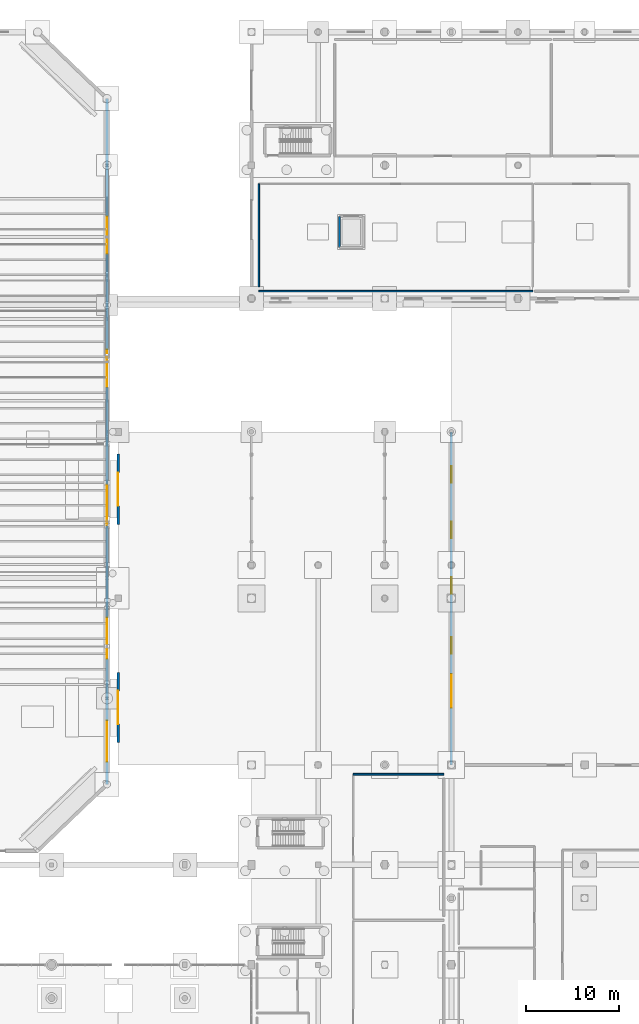
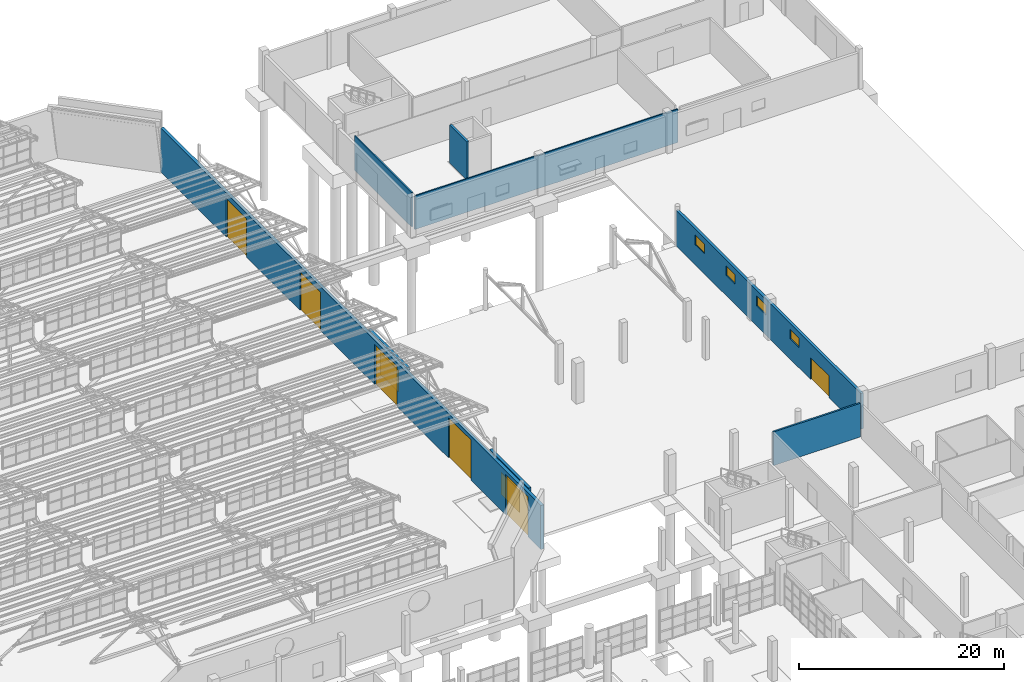
# One storey, part 259 of 285: 8 doors, 8 walls, 4 windows, 12 openings.
"""IFC4 building model written with IfcOpenShell, lengths in metres."""

import ifcopenshell
import ifcopenshell.guid

model = None  # the IFC model being written
_history = None  # IfcOwnerHistory: only IFC2X3 demands one
_inside = {}  # id of a spatial element -> (the spatial element, [elements in it])
_under = {}  # id of a project, library or spatial element -> (it, [spatial elements below it])
_declared = {}  # id of a project -> (the project, [libraries it declares])
_typed = {}  # id of a type object -> (the type object, [elements of that type])
_made_of = {}  # id of a material, layer set ... -> (it, [elements and type objects made of it])


def new_model(schema):
    """Start an empty IFC model of exactly this schema.

    Asked for "IFC4X3", IfcOpenShell would pick the latest addendum, in which some entities
    have other attributes; the version numbers below select the first issue.
    IFC2X3 requires an IfcOwnerHistory on every rooted entity: one is made here for all.
    """
    global model, _history
    if schema == "IFC4X3":
        model = ifcopenshell.file(schema_version=(4, 3, 0, 0))
    else:
        model = ifcopenshell.file(schema=schema)
    _inside.clear()
    _under.clear()
    _declared.clear()
    _typed.clear()
    _made_of.clear()
    _history = None
    if model.schema == "IFC2X3":
        org = make("IfcOrganization", Name="unknown")
        user = make(
            "IfcPersonAndOrganization",
            ThePerson=make("IfcPerson", FamilyName="unknown"),
            TheOrganization=org,
        )
        app = make(
            "IfcApplication",
            ApplicationDeveloper=org,
            Version="unknown",
            ApplicationFullName="unknown",
            ApplicationIdentifier="unknown",
        )
        _history = make(
            "IfcOwnerHistory",
            OwningUser=user,
            OwningApplication=app,
            ChangeAction="ADDED",
            CreationDate=0,
        )
    return model


def make(cls, **values):
    """One entity of the class cls with the attributes given. An attribute that is None is left unset."""
    return model.create_entity(
        cls, **{name: value for name, value in values.items() if value is not None}
    )


def rooted(cls, **values):
    """An entity with a GlobalId (a new one), such as an element, a storey or a relation."""
    return make(cls, GlobalId=ifcopenshell.guid.new(), OwnerHistory=_history, **values)


def si_unit(unit_type, name, prefix=None):
    """IfcSIUnit, for example si_unit("LENGTHUNIT", "METRE", prefix="MILLI")."""
    return make("IfcSIUnit", UnitType=unit_type, Prefix=prefix, Name=name)


def assignment(units):
    """IfcUnitAssignment: the units of a project."""
    return None if units is None else make("IfcUnitAssignment", Units=units)


def point(xyz):
    """IfcCartesianPoint."""
    return None if xyz is None else make("IfcCartesianPoint", Coordinates=xyz)


def direction(xyz):
    """IfcDirection."""
    return None if xyz is None else make("IfcDirection", DirectionRatios=xyz)


def frame(location, z_axis=None, x_axis=None):
    """IfcAxis2Placement3D, a coordinate frame: its origin and axes. An axis left out is left unset."""
    return make(
        "IfcAxis2Placement3D",
        Location=point(location),
        Axis=direction(z_axis),
        RefDirection=direction(x_axis),
    )


def frame_2d(location, x_axis=None):
    """IfcAxis2Placement2D, a coordinate frame in the plane: its origin and x axis."""
    return make(
        "IfcAxis2Placement2D", Location=point(location), RefDirection=direction(x_axis)
    )


def origin():
    """The frame at (0, 0, 0) with its axes left unset."""
    return frame((0.0, 0.0, 0.0))


def place(relative_to, where):
    """IfcLocalPlacement: puts the frame where relative to a parent placement (None: the world)."""
    return make(
        "IfcLocalPlacement", PlacementRelTo=relative_to, RelativePlacement=where
    )


def context(
    kind, dimensions, precision=None, world=None, true_north=None, identifier=None
):
    """IfcGeometricRepresentationContext, for example the 3D "Model" context."""
    return make(
        "IfcGeometricRepresentationContext",
        ContextIdentifier=identifier,
        ContextType=kind,
        CoordinateSpaceDimension=dimensions,
        Precision=precision,
        WorldCoordinateSystem=world,
        TrueNorth=true_north,
    )


def subcontext(parent, identifier, kind, view, scale=None):
    """IfcGeometricRepresentationSubContext, for example "Body" below "Model"."""
    return make(
        "IfcGeometricRepresentationSubContext",
        ContextIdentifier=identifier,
        ContextType=kind,
        ParentContext=parent,
        TargetScale=scale,
        TargetView=view,
    )


def project(units=None, contexts=None):
    """IfcProject with its units and contexts."""
    return rooted(
        "IfcProject",
        Name="project",
        RepresentationContexts=contexts,
        UnitsInContext=assignment(units),
    )


def spatial(cls, under=None, at=None, **own):
    """A site, building, storey or space (cls), placed at a placement, below another one or the project."""
    s = rooted(cls, ObjectPlacement=at, **own)
    if under is not None:
        _under.setdefault(under.id(), (under, []))[1].append(s)
    return s


def profile(cls, at=None, kind="AREA", **sizes):
    """A parametric profile (cls). Its sizes go by their IFC names, for example OverallWidth=200.0."""
    return make(cls, ProfileType=kind, Position=at, **sizes)


def rectangle(**sizes):
    """IfcRectangleProfileDef."""
    return profile("IfcRectangleProfileDef", **sizes)


def extrude(swept, where, along, depth):
    """IfcExtrudedAreaSolid: the profile swept, set in the frame where, extruded along a direction by depth."""
    return make(
        "IfcExtrudedAreaSolid",
        SweptArea=swept,
        Position=where,
        ExtrudedDirection=direction(along),
        Depth=depth,
    )


def shape(context_of_items, identifier, shape_type, items):
    """IfcShapeRepresentation: the items that make up one representation, for example the "Body"."""
    return make(
        "IfcShapeRepresentation",
        ContextOfItems=context_of_items,
        RepresentationIdentifier=identifier,
        RepresentationType=shape_type,
        Items=items,
    )


def material(Name=None, Category=None):
    """IfcMaterial."""
    return make("IfcMaterial", Name=Name, Category=Category)


def layer(
    of_material, thickness, ventilated=None, Name=None, Category=None, Priority=None
):
    """IfcMaterialLayer: one layer of a wall or slab, of a material (None: an air gap)."""
    return make(
        "IfcMaterialLayer",
        Material=of_material,
        LayerThickness=thickness,
        IsVentilated=ventilated,
        Name=Name,
        Category=Category,
        Priority=Priority,
    )


def layer_set(layers, Name=None):
    """IfcMaterialLayerSet."""
    return make("IfcMaterialLayerSet", MaterialLayers=layers, LayerSetName=Name)


def made_of(thing, what):
    """Note that an element or type object is made of a material, layer set ...; save() writes the relation."""
    if what is not None:
        _made_of.setdefault(what.id(), (what, []))[1].append(thing)
    return thing


def type_object(cls, material=None, **own):
    """A type object (cls), such as IfcWallType, which elements share."""
    return made_of(rooted(cls, **own), material)


def element(
    cls,
    number,
    at=None,
    inside=None,
    cuts=None,
    type_object=None,
    material=None,
    context=None,
    identifier="Body",
    shape_type=None,
    held_by="IfcProductDefinitionShape",
    body=None,
    shapes=None,
    **own,
):
    """One element of the class cls, such as IfcWall. Its Tag is "e" and its number.

    at: its placement. inside: the storey or other place that contains it. cuts: it is an
    opening in that element (IfcRelVoidsElement). A single representation is given by context,
    identifier, shape_type and body (its items); several are given by shapes. held_by: the class
    of the entity that holds the representations. save() writes the other relations.
    """
    e = rooted(cls, Tag="e%d" % number, ObjectPlacement=at, **own)
    if body is not None:
        shapes = [shape(context, identifier, shape_type, body)]
    if shapes is not None:
        e.Representation = make(held_by, Representations=shapes)
    if inside is not None:
        _inside.setdefault(inside.id(), (inside, []))[1].append(e)
    if cuts is not None:
        rooted(
            "IfcRelVoidsElement", RelatingBuildingElement=cuts, RelatedOpeningElement=e
        )
    if type_object is not None:
        _typed.setdefault(type_object.id(), (type_object, []))[1].append(e)
    return made_of(e, material)


def fill(opening, filler):
    """IfcRelFillsElement: the door or window that sits in an opening."""
    return rooted(
        "IfcRelFillsElement",
        RelatingOpeningElement=opening,
        RelatedBuildingElement=filler,
    )


def aggregate(whole, parts):
    """IfcRelAggregates: a whole, such as a stair, and the parts it consists of."""
    return rooted("IfcRelAggregates", RelatingObject=whole, RelatedObjects=parts)


def save(model, path):
    """Write the relations noted so far, then the file.

    IfcRelAggregates (storeys below a building ...), IfcRelContainedInSpatialStructure (elements
    in a storey), IfcRelDefinesByType, IfcRelAssociatesMaterial and IfcRelDeclares: one each for
    every whole, place, type object, material and project.
    """
    for whole, parts in _under.values():
        aggregate(whole, parts)
    for where, things in _inside.values():
        rooted(
            "IfcRelContainedInSpatialStructure",
            RelatedElements=things,
            RelatingStructure=where,
        )
    for kind, things in _typed.values():
        rooted("IfcRelDefinesByType", RelatedObjects=things, RelatingType=kind)
    for what, things in _made_of.values():
        rooted("IfcRelAssociatesMaterial", RelatedObjects=things, RelatingMaterial=what)
    for by, libraries in _declared.values():
        rooted("IfcRelDeclares", RelatingContext=by, RelatedDefinitions=libraries)
    model.write(path)


model = new_model("IFC4")

# Units and contexts
model_context = context("Model", 3, precision=1e-05, world=origin(), true_north=direction((0.0, 1.0)))
body_context = subcontext(model_context, "Body", "Model", "MODEL_VIEW")
ifc_project = project(units=[si_unit("LENGTHUNIT", "METRE"), si_unit("AREAUNIT", "SQUARE_METRE"), si_unit("VOLUMEUNIT", "CUBIC_METRE"), si_unit("PLANEANGLEUNIT", "RADIAN"), si_unit("MASSUNIT", "GRAM", prefix="KILO")], contexts=[model_context])

# Site, building, storey
site_placement = place(None, origin())
site = spatial("IfcSite", under=ifc_project, at=site_placement, CompositionType="ELEMENT")
building_placement = place(site_placement, origin())
building = spatial("IfcBuilding", under=site, at=building_placement, Name="Solanera Park Tramway Depot", CompositionType="ELEMENT")
storey_placement = place(building_placement, origin())
storey = spatial("IfcBuildingStorey", under=building, at=storey_placement, Name="L00", CompositionType="ELEMENT", Elevation=0.0)

# Walls
ifc_material_1 = material(Name="Concrete N32 (C32/40)", Category="concrete")
ifc_layer_1 = layer(ifc_material_1, 0.14990234375)
ifc_layer_set_1 = layer_set([ifc_layer_1], Name="Concrete N32 (C32/40)")
wall_type_1 = type_object("IfcWallType", Name="Acoustic Partition 150", PredefinedType="PARTITIONING", material=ifc_layer_set_1)
wall_1_placement = place(storey_placement, frame((196.0, 116.0, 0.0), z_axis=(0.0, 0.0, 1.0), x_axis=(-1.0, 0.0, 0.0)))
element("IfcWall", 1, at=wall_1_placement, inside=storey, type_object=wall_type_1, Name="Automated Drive-Through Tram Wash Bay Dividing Wall", PredefinedType="PARTITIONING", context=body_context, shape_type="SweptSolid", body=[
    extrude(rectangle(XDim=29.60009765625, YDim=0.14990234375, at=frame_2d((14.800048828125, 0.0))), origin(), (0.0, 0.0, 1.0), 3.97412109375),
])
wall_2_placement = place(storey_placement, frame((166.39990234375, 127.60009765625, 0.0), z_axis=(0.0, 0.0, 1.0), x_axis=(0.0, -1.0, 0.0)))
element("IfcWall", 2, at=wall_2_placement, inside=storey, type_object=wall_type_1, Name="Automated Drive-Through Tram Wash Bay Dividing Wall", PredefinedType="PARTITIONING", context=body_context, shape_type="SweptSolid", body=[
    extrude(rectangle(XDim=11.150146484375, YDim=0.14990234375, at=frame_2d((5.5751953125, 0.0))), origin(), (0.0, 0.0, 1.0), 4.10009765625),
])

# Wall, opening, door
ifc_material_2 = material(Name="Concrete N32 (C32/40)", Category="concrete")
ifc_layer_2 = layer(ifc_material_2, 0.280029296875)
ifc_layer_set_2 = layer_set([ifc_layer_2], Name="Concrete N32 (C32/40)")
wall_type_2 = type_object("IfcWallType", Name="Ext Stucco Wall 280", PredefinedType="SOLIDWALL", material=ifc_layer_set_2)
wall_3_placement = place(storey_placement, frame((151.199951171875, 67.199951171875, 0.0), z_axis=(0.0, 0.0, 1.0), x_axis=(0.0, 1.0, 0.0)))
wall_3 = element("IfcWall", 3, at=wall_3_placement, inside=storey, type_object=wall_type_2, Name="Car Park Entry Portal Wall 1", PredefinedType="SOLIDWALL", context=body_context, shape_type="SweptSolid", body=[
    extrude(rectangle(XDim=7.60009765625, YDim=0.280029296875, at=frame_2d((3.800048828125, 0.0))), origin(), (0.0, 0.0, 1.0), 4.14990234375),
])
opening_1_placement = place(wall_3_placement, frame((2.0, 0.0, 0.0)))
opening_1 = element("IfcOpeningElement", 4, at=opening_1_placement, cuts=wall_3, Name="Opening VG-05", PredefinedType="OPENING", context=body_context, shape_type="SweptSolid", body=[
    extrude(rectangle(XDim=3.60009765625, YDim=2.60009765625, at=frame_2d((1.800048828125, 1.300048828125))), frame((0.0, 0.14990234375, 0.0), z_axis=(0.0, -1.0, 0.0), x_axis=(1.0, 0.0, 0.0)), (0.0, 0.0, 1.0), 0.300048828125),
])
ifc_material_3 = material(Name="Powder-coated aluminium and steel portal leaf", Category="steel")
door_type_1 = type_object("IfcDoorType", Name="Car Park Ramp Security Gate 3600x2600", OperationType="SLIDING_TO_RIGHT", PredefinedType="GATE", material=ifc_material_3)
door_1_placement = place(opening_1_placement, origin())
door_1 = element("IfcDoor", 5, at=door_1_placement, inside=storey, type_object=door_type_1, Name="Car Park Security Gate 1", OperationType="SLIDING_TO_RIGHT", OverallHeight=2.60009765625, OverallWidth=3.60009765625, PredefinedType="GATE", context=body_context, shape_type="SweptSolid", body=[
    extrude(rectangle(XDim=3.60009765625, YDim=2.60009765625, at=frame_2d((1.800048828125, 1.300048828125))), frame((0.0, 0.02490234375, 0.0), z_axis=(0.0, -1.0, 0.0), x_axis=(1.0, 0.0, 0.0)), (0.0, 0.0, 1.0), 0.050048828125),
])
fill(opening_1, door_1)

wall_4_placement = place(storey_placement, frame((151.199951171875, 90.800048828125, 0.0), z_axis=(0.0, 0.0, 1.0), x_axis=(0.0, 1.0, 0.0)))
wall_4 = element("IfcWall", 6, at=wall_4_placement, inside=storey, type_object=wall_type_2, Name="Car Park Entry Portal Wall 2", PredefinedType="SOLIDWALL", context=body_context, shape_type="SweptSolid", body=[
    extrude(rectangle(XDim=7.599853515625, YDim=0.280029296875, at=frame_2d((3.7998046875, 0.0))), origin(), (0.0, 0.0, 1.0), 4.14990234375),
])
opening_2_placement = place(wall_4_placement, frame((2.0, 0.0, 0.0)))
opening_2 = element("IfcOpeningElement", 7, at=opening_2_placement, cuts=wall_4, Name="Opening VG-05", PredefinedType="OPENING", context=body_context, shape_type="SweptSolid", body=[
    extrude(rectangle(XDim=3.60009765625, YDim=2.60009765625, at=frame_2d((1.800048828125, 1.300048828125))), frame((0.0, 0.14990234375, 0.0), z_axis=(0.0, -1.0, 0.0), x_axis=(1.0, 0.0, 0.0)), (0.0, 0.0, 1.0), 0.300048828125),
])
door_2_placement = place(opening_2_placement, origin())
door_2 = element("IfcDoor", 8, at=door_2_placement, inside=storey, type_object=door_type_1, Name="Car Park Security Gate 2", OperationType="SLIDING_TO_RIGHT", OverallHeight=2.60009765625, OverallWidth=3.60009765625, PredefinedType="GATE", context=body_context, shape_type="SweptSolid", body=[
    extrude(rectangle(XDim=3.60009765625, YDim=2.60009765625, at=frame_2d((1.800048828125, 1.300048828125))), frame((0.0, 0.02490234375, 0.0), z_axis=(0.0, -1.0, 0.0), x_axis=(1.0, 0.0, 0.0)), (0.0, 0.0, 1.0), 0.050048828125),
])
fill(opening_2, door_2)

# Wall, openings, door, windows
ifc_material_4 = material(Name="Concrete N32 (C32/40)", Category="concrete")
ifc_layer_3 = layer(ifc_material_4, 0.300048828125)
ifc_layer_set_3 = layer_set([ifc_layer_3], Name="Concrete N32 (C32/40)")
wall_type_3 = type_object("IfcWallType", Name="Ext Stucco Wall 300", PredefinedType="SOLIDWALL", material=ifc_layer_set_3)
wall_5_placement = place(storey_placement, frame((187.199951171875, 64.800048828125, 0.0), z_axis=(0.0, 0.0, 1.0), x_axis=(0.0, 1.0, 0.0)))
wall_5 = element("IfcWall", 9, at=wall_5_placement, inside=storey, type_object=wall_type_3, Name="L00 Exterior Wall #022", PredefinedType="SOLIDWALL", context=body_context, shape_type="SweptSolid", body=[
    extrude(rectangle(XDim=36.0, YDim=0.300048828125, at=frame_2d((18.0, 0.0))), origin(), (0.0, 0.0, 1.0), 4.25),
])
opening_3_placement = place(wall_5_placement, frame((6.199951171875, 0.0, 0.0)))
opening_3 = element("IfcOpeningElement", 10, at=opening_3_placement, cuts=wall_5, Name="Opening VG-05", PredefinedType="OPENING", context=body_context, shape_type="SweptSolid", body=[
    extrude(rectangle(XDim=3.60009765625, YDim=2.60009765625, at=frame_2d((1.800048828125, 1.300048828125))), frame((0.0, 0.16015625, 0.0), z_axis=(0.0, -1.0, 0.0), x_axis=(1.0, 0.0, 0.0)), (0.0, 0.0, 1.0), 0.320068359375),
])
opening_4_placement = place(wall_5_placement, frame((12.0, 0.0, 2.39990234375)))
opening_4 = element("IfcOpeningElement", 11, at=opening_4_placement, cuts=wall_5, Name="Opening WN-L18", PredefinedType="OPENING", context=body_context, shape_type="SweptSolid", body=[
    extrude(rectangle(XDim=1.800048828125, YDim=1.14990234375, at=frame_2d((0.89990234375, 0.574951171875))), frame((0.0, 0.16015625, 0.0), z_axis=(0.0, -1.0, 0.0), x_axis=(1.0, 0.0, 0.0)), (0.0, 0.0, 1.0), 0.320068359375),
])
opening_5_placement = place(wall_5_placement, frame((18.5, 0.0, 2.39990234375)))
opening_5 = element("IfcOpeningElement", 12, at=opening_5_placement, cuts=wall_5, Name="Opening WN-L18", PredefinedType="OPENING", context=body_context, shape_type="SweptSolid", body=[
    extrude(rectangle(XDim=1.800048828125, YDim=1.14990234375, at=frame_2d((0.89990234375, 0.574951171875))), frame((0.0, 0.16015625, 0.0), z_axis=(0.0, -1.0, 0.0), x_axis=(1.0, 0.0, 0.0)), (0.0, 0.0, 1.0), 0.320068359375),
])
opening_6_placement = place(wall_5_placement, frame((24.5, 0.0, 2.39990234375)))
opening_6 = element("IfcOpeningElement", 13, at=opening_6_placement, cuts=wall_5, Name="Opening WN-L18", PredefinedType="OPENING", context=body_context, shape_type="SweptSolid", body=[
    extrude(rectangle(XDim=1.800048828125, YDim=1.14990234375, at=frame_2d((0.89990234375, 0.574951171875))), frame((0.0, 0.16015625, 0.0), z_axis=(0.0, -1.0, 0.0), x_axis=(1.0, 0.0, 0.0)), (0.0, 0.0, 1.0), 0.320068359375),
])
opening_7_placement = place(wall_5_placement, frame((30.5, 0.0, 2.39990234375)))
opening_7 = element("IfcOpeningElement", 14, at=opening_7_placement, cuts=wall_5, Name="Opening WN-L18", PredefinedType="OPENING", context=body_context, shape_type="SweptSolid", body=[
    extrude(rectangle(XDim=1.800048828125, YDim=1.14990234375, at=frame_2d((0.89990234375, 0.574951171875))), frame((0.0, 0.16015625, 0.0), z_axis=(0.0, -1.0, 0.0), x_axis=(1.0, 0.0, 0.0)), (0.0, 0.0, 1.0), 0.320068359375),
])
door_3_placement = place(opening_3_placement, origin())
door_3 = element("IfcDoor", 15, at=door_3_placement, inside=storey, type_object=door_type_1, Name="Car Park Vehicle Entrance Security Gate", OperationType="SLIDING_TO_RIGHT", OverallHeight=2.60009765625, OverallWidth=3.60009765625, PredefinedType="GATE", context=body_context, shape_type="SweptSolid", body=[
    extrude(rectangle(XDim=3.60009765625, YDim=2.60009765625, at=frame_2d((1.800048828125, 1.300048828125))), frame((0.0, 0.02490234375, 0.0), z_axis=(0.0, -1.0, 0.0), x_axis=(1.0, 0.0, 0.0)), (0.0, 0.0, 1.0), 0.050048828125),
])
fill(opening_3, door_3)
ifc_material_5 = material(Name="Powder-coated aluminium frame with solar-control double glazing", Category="aluminium")
window_type = type_object("IfcWindowType", Name="Substation Acoustic Louvre 1800x1150", PartitioningType="SINGLE_PANEL", PredefinedType="WINDOW", material=ifc_material_5)
window_1_placement = place(opening_4_placement, origin())
window_1 = element("IfcWindow", 16, at=window_1_placement, inside=storey, type_object=window_type, Name="Car Park Ventilation Louvre #0109", OverallHeight=1.14990234375, OverallWidth=1.800048828125, PartitioningType="SINGLE_PANEL", PredefinedType="WINDOW", context=body_context, shape_type="SweptSolid", body=[
    extrude(rectangle(XDim=1.800048828125, YDim=1.14990234375, at=frame_2d((0.89990234375, 0.574951171875))), frame((0.0, 0.030029296875, 0.0), z_axis=(0.0, -1.0, 0.0), x_axis=(1.0, 0.0, 0.0)), (0.0, 0.0, 1.0), 0.06005859375),
])
fill(opening_4, window_1)
window_2_placement = place(opening_5_placement, origin())
window_2 = element("IfcWindow", 17, at=window_2_placement, inside=storey, type_object=window_type, Name="Car Park Ventilation Louvre #0110", OverallHeight=1.14990234375, OverallWidth=1.800048828125, PartitioningType="SINGLE_PANEL", PredefinedType="WINDOW", context=body_context, shape_type="SweptSolid", body=[
    extrude(rectangle(XDim=1.800048828125, YDim=1.14990234375, at=frame_2d((0.89990234375, 0.574951171875))), frame((0.0, 0.030029296875, 0.0), z_axis=(0.0, -1.0, 0.0), x_axis=(1.0, 0.0, 0.0)), (0.0, 0.0, 1.0), 0.06005859375),
])
fill(opening_5, window_2)
window_3_placement = place(opening_6_placement, origin())
window_3 = element("IfcWindow", 18, at=window_3_placement, inside=storey, type_object=window_type, Name="Car Park Ventilation Louvre #0111", OverallHeight=1.14990234375, OverallWidth=1.800048828125, PartitioningType="SINGLE_PANEL", PredefinedType="WINDOW", context=body_context, shape_type="SweptSolid", body=[
    extrude(rectangle(XDim=1.800048828125, YDim=1.14990234375, at=frame_2d((0.89990234375, 0.574951171875))), frame((0.0, 0.030029296875, 0.0), z_axis=(0.0, -1.0, 0.0), x_axis=(1.0, 0.0, 0.0)), (0.0, 0.0, 1.0), 0.06005859375),
])
fill(opening_6, window_3)
window_4_placement = place(opening_7_placement, origin())
window_4 = element("IfcWindow", 19, at=window_4_placement, inside=storey, type_object=window_type, Name="Car Park Ventilation Louvre #0112", OverallHeight=1.14990234375, OverallWidth=1.800048828125, PartitioningType="SINGLE_PANEL", PredefinedType="WINDOW", context=body_context, shape_type="SweptSolid", body=[
    extrude(rectangle(XDim=1.800048828125, YDim=1.14990234375, at=frame_2d((0.89990234375, 0.574951171875))), frame((0.0, 0.030029296875, 0.0), z_axis=(0.0, -1.0, 0.0), x_axis=(1.0, 0.0, 0.0)), (0.0, 0.0, 1.0), 0.06005859375),
])
fill(opening_7, window_4)

# Wall, openings, doors
ifc_material_6 = material(Name="Concrete N32 (C32/40)", Category="concrete")
ifc_layer_4 = layer(ifc_material_6, 0.35009765625)
ifc_layer_set_4 = layer_set([ifc_layer_4], Name="Concrete N32 (C32/40)")
wall_type_4 = type_object("IfcWallType", Name="Ext Stucco Wall 350", PredefinedType="SOLIDWALL", material=ifc_layer_set_4)
wall_6_placement = place(storey_placement, frame((150.0, 62.699951171875, 0.0), z_axis=(0.0, 0.0, 1.0), x_axis=(0.0, 1.0, 0.0)))
wall_6 = element("IfcWall", 20, at=wall_6_placement, inside=storey, type_object=wall_type_4, Name="L00 V1 Perimeter Wall V1-E", PredefinedType="SOLIDWALL", context=body_context, shape_type="SweptSolid", body=[
    extrude(rectangle(XDim=74.10009765625, YDim=0.35009765625, at=frame_2d((37.050048828125, 0.0))), origin(), (0.0, 0.0, 1.0), 5.236083984375),
])
opening_8_placement = place(wall_6_placement, frame((2.449951171875, 0.0, 0.0)))
opening_8 = element("IfcOpeningElement", 21, at=opening_8_placement, cuts=wall_6, Name="Opening VG-01", PredefinedType="OPENING", context=body_context, shape_type="SweptSolid", body=[
    extrude(rectangle(XDim=4.39990234375, YDim=4.800048828125, at=frame_2d((2.199951171875, 2.39990234375))), frame((0.0, 0.18505859375, 0.0), z_axis=(0.0, -1.0, 0.0), x_axis=(1.0, 0.0, 0.0)), (0.0, 0.0, 1.0), 0.3701171875),
])
opening_9_placement = place(wall_6_placement, frame((13.60009765625, 0.0, 0.0)))
opening_9 = element("IfcOpeningElement", 22, at=opening_9_placement, cuts=wall_6, Name="Opening VG-01", PredefinedType="OPENING", context=body_context, shape_type="SweptSolid", body=[
    extrude(rectangle(XDim=4.39990234375, YDim=4.800048828125, at=frame_2d((2.199951171875, 2.39990234375))), frame((0.0, 0.18505859375, 0.0), z_axis=(0.0, -1.0, 0.0), x_axis=(1.0, 0.0, 0.0)), (0.0, 0.0, 1.0), 0.3701171875),
])
opening_10_placement = place(wall_6_placement, frame((28.0, 0.0, 0.0)))
opening_10 = element("IfcOpeningElement", 23, at=opening_10_placement, cuts=wall_6, Name="Opening VG-01", PredefinedType="OPENING", context=body_context, shape_type="SweptSolid", body=[
    extrude(rectangle(XDim=4.39990234375, YDim=4.800048828125, at=frame_2d((2.199951171875, 2.39990234375))), frame((0.0, 0.18505859375, 0.0), z_axis=(0.0, -1.0, 0.0), x_axis=(1.0, 0.0, 0.0)), (0.0, 0.0, 1.0), 0.3701171875),
])
opening_11_placement = place(wall_6_placement, frame((42.949951171875, 0.0, 0.0)))
opening_11 = element("IfcOpeningElement", 24, at=opening_11_placement, cuts=wall_6, Name="Opening VG-02", PredefinedType="OPENING", context=body_context, shape_type="SweptSolid", body=[
    extrude(rectangle(XDim=4.0, YDim=4.60009765625, at=frame_2d((2.0, 2.300048828125))), frame((0.0, 0.18505859375, 0.0), z_axis=(0.0, -1.0, 0.0), x_axis=(1.0, 0.0, 0.0)), (0.0, 0.0, 1.0), 0.3701171875),
])
opening_12_placement = place(wall_6_placement, frame((57.35009765625, 0.0, 0.0)))
opening_12 = element("IfcOpeningElement", 25, at=opening_12_placement, cuts=wall_6, Name="Opening VG-02", PredefinedType="OPENING", context=body_context, shape_type="SweptSolid", body=[
    extrude(rectangle(XDim=4.0, YDim=4.60009765625, at=frame_2d((2.0, 2.300048828125))), frame((0.0, 0.18505859375, 0.0), z_axis=(0.0, -1.0, 0.0), x_axis=(1.0, 0.0, 0.0)), (0.0, 0.0, 1.0), 0.3701171875),
])
ifc_material_7 = material(Name="Powder-coated aluminium and steel portal leaf", Category="steel")
door_type_2 = type_object("IfcDoorType", Name="Electric Bus Overhead Door 4000x4600", OperationType="ROLLINGUP", PredefinedType="GATE", material=ifc_material_7)
door_4_placement = place(opening_11_placement, origin())
door_4 = element("IfcDoor", 26, at=door_4_placement, inside=storey, type_object=door_type_2, Name="Rolling-Stock Portal Door VG-02 #0021", OperationType="ROLLINGUP", OverallHeight=4.60009765625, OverallWidth=4.0, PredefinedType="GATE", context=body_context, shape_type="SweptSolid", body=[
    extrude(rectangle(XDim=4.0, YDim=4.60009765625, at=frame_2d((2.0, 2.300048828125))), frame((0.0, 0.02490234375, 0.0), z_axis=(0.0, -1.0, 0.0), x_axis=(1.0, 0.0, 0.0)), (0.0, 0.0, 1.0), 0.050048828125),
])
fill(opening_11, door_4)
door_5_placement = place(opening_12_placement, origin())
door_5 = element("IfcDoor", 27, at=door_5_placement, inside=storey, type_object=door_type_2, Name="Rolling-Stock Portal Door VG-02 #0022", OperationType="ROLLINGUP", OverallHeight=4.60009765625, OverallWidth=4.0, PredefinedType="GATE", context=body_context, shape_type="SweptSolid", body=[
    extrude(rectangle(XDim=4.0, YDim=4.60009765625, at=frame_2d((2.0, 2.300048828125))), frame((0.0, 0.02490234375, 0.0), z_axis=(0.0, -1.0, 0.0), x_axis=(1.0, 0.0, 0.0)), (0.0, 0.0, 1.0), 0.050048828125),
])
fill(opening_12, door_5)
ifc_material_8 = material(Name="Powder-coated aluminium and steel portal leaf", Category="steel")
door_type_3 = type_object("IfcDoorType", Name="Tramway Bi-Fold Portal Door 4400x4800", OperationType="FOLDING_TO_LEFT", PredefinedType="GATE", material=ifc_material_8)
door_6_placement = place(opening_8_placement, origin())
door_6 = element("IfcDoor", 28, at=door_6_placement, inside=storey, type_object=door_type_3, Name="Rolling-Stock Portal Door VG-01 #0018", OperationType="FOLDING_TO_LEFT", OverallHeight=4.800048828125, OverallWidth=4.39990234375, PredefinedType="GATE", context=body_context, shape_type="SweptSolid", body=[
    extrude(rectangle(XDim=4.39990234375, YDim=4.800048828125, at=frame_2d((2.199951171875, 2.39990234375))), frame((0.0, 0.02490234375, 0.0), z_axis=(0.0, -1.0, 0.0), x_axis=(1.0, 0.0, 0.0)), (0.0, 0.0, 1.0), 0.050048828125),
])
fill(opening_8, door_6)
door_7_placement = place(opening_9_placement, origin())
door_7 = element("IfcDoor", 29, at=door_7_placement, inside=storey, type_object=door_type_3, Name="Rolling-Stock Portal Door VG-01 #0019", OperationType="FOLDING_TO_LEFT", OverallHeight=4.800048828125, OverallWidth=4.39990234375, PredefinedType="GATE", context=body_context, shape_type="SweptSolid", body=[
    extrude(rectangle(XDim=4.39990234375, YDim=4.800048828125, at=frame_2d((2.199951171875, 2.39990234375))), frame((0.0, 0.02490234375, 0.0), z_axis=(0.0, -1.0, 0.0), x_axis=(1.0, 0.0, 0.0)), (0.0, 0.0, 1.0), 0.050048828125),
])
fill(opening_9, door_7)
door_8_placement = place(opening_10_placement, origin())
door_8 = element("IfcDoor", 30, at=door_8_placement, inside=storey, type_object=door_type_3, Name="Rolling-Stock Portal Door VG-01 #0020", OperationType="FOLDING_TO_LEFT", OverallHeight=4.800048828125, OverallWidth=4.39990234375, PredefinedType="GATE", context=body_context, shape_type="SweptSolid", body=[
    extrude(rectangle(XDim=4.39990234375, YDim=4.800048828125, at=frame_2d((2.199951171875, 2.39990234375))), frame((0.0, 0.02490234375, 0.0), z_axis=(0.0, -1.0, 0.0), x_axis=(1.0, 0.0, 0.0)), (0.0, 0.0, 1.0), 0.050048828125),
])
fill(opening_10, door_8)

# Walls
ifc_material_9 = material(Name="Concrete N32 (C32/40)", Category="concrete")
ifc_layer_5 = layer(ifc_material_9, 0.199951171875)
ifc_layer_set_5 = layer_set([ifc_layer_5], Name="Concrete N32 (C32/40)")
wall_type_5 = type_object("IfcWallType", Name="Fire Compartment Wall 200", PredefinedType="SOLIDWALL", material=ifc_layer_set_5)
wall_7_placement = place(storey_placement, frame((176.60009765625, 63.800048828125, 0.0), z_axis=(0.0, 0.0, 1.0), x_axis=(1.0, 0.0, 0.0)))
element("IfcWall", 31, at=wall_7_placement, inside=storey, type_object=wall_type_5, Name="Communications UPS and Main MDF Room Dividing Wall", PredefinedType="SOLIDWALL", context=body_context, shape_type="SweptSolid", body=[
    extrude(rectangle(XDim=9.7998046875, YDim=0.199951171875, at=frame_2d((4.89990234375, 0.0))), origin(), (0.0, 0.0, 1.0), 4.0),
])
ifc_material_10 = material(Name="Concrete N40 (C40/50)", Category="concrete")
ifc_layer_6 = layer(ifc_material_10, 0.25)
ifc_layer_set_6 = layer_set([ifc_layer_6], Name="Concrete N40 (C40/50)")
wall_type_6 = type_object("IfcWallType", Name="Lift Shaft Shear Wall 250", PredefinedType="SHEAR", material=ifc_layer_set_6)
wall_8_placement = place(storey_placement, frame((175.125, 124.074951171875, 0.0), z_axis=(0.0, 0.0, 1.0), x_axis=(0.0, -1.0, 0.0)))
element("IfcWall", 32, at=wall_8_placement, inside=storey, type_object=wall_type_6, Name="LF-06 L00 Lift Shaft Wall W", PredefinedType="SHEAR", context=body_context, shape_type="SweptSolid", body=[
    extrude(rectangle(XDim=3.349853515625, YDim=0.25, at=frame_2d((1.6748046875, 0.0))), origin(), (0.0, 0.0, 1.0), 4.5),
])

save(model, "model.ifc")
